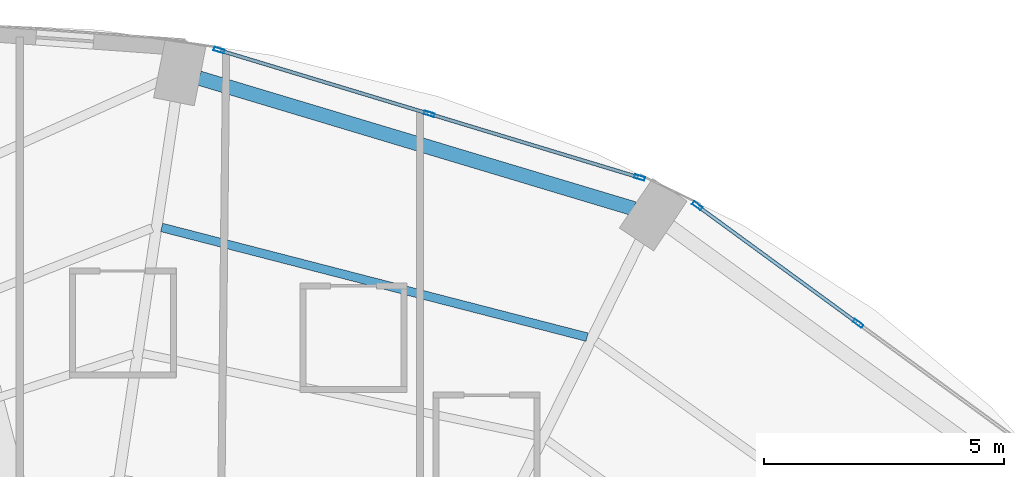
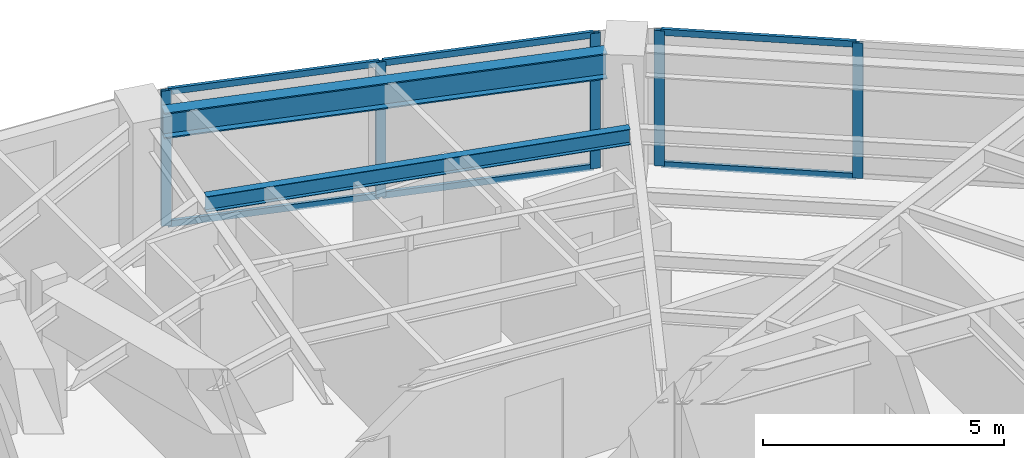
# One storey, part 17 of 25: 11 members, 2 beams, 2 elements without a shape of their own.
"""IFC4 building model written with IfcOpenShell, lengths in metres."""

from ifc_helpers import new_model, si_unit, direction, frame, origin, origin_2d, place, context, subcontext, project, spatial, hollow_rectangle, i_section, extrude, material, layer, layer_set, material_profile, profile_set, type_object, element, aggregate, save


model = new_model("IFC4")

# Units and contexts
model_context = context("Model", 3, precision=1e-05, world=origin(), true_north=direction((0.0, 1.0)))
body_context = subcontext(model_context, "Body", "Model", "MODEL_VIEW")
ifc_project = project(units=[si_unit("LENGTHUNIT", "METRE"), si_unit("AREAUNIT", "SQUARE_METRE"), si_unit("VOLUMEUNIT", "CUBIC_METRE"), si_unit("PLANEANGLEUNIT", "RADIAN"), si_unit("MASSUNIT", "GRAM", prefix="KILO")], contexts=[model_context])

# Site, building, storey
site_placement = place(None, origin())
site = spatial("IfcSite", under=ifc_project, at=site_placement, CompositionType="ELEMENT")
building_placement = place(site_placement, origin())
building = spatial("IfcBuilding", under=site, at=building_placement, Name="Lazwardi Medical Tower", CompositionType="ELEMENT")
storey_placement = place(building_placement, frame((0.0, 0.0, 28.847900390625)))
storey = spatial("IfcBuildingStorey", under=building, at=storey_placement, Name="L06", CompositionType="ELEMENT", Elevation=28.847900390625)

# Beams
ifc_material_1 = material(Name="Steel S355", Category="steel")
ifc_material_profile_1 = material_profile(ifc_material_1, i_section(OverallWidth=0.300048828125, OverallDepth=0.64990234375, WebThickness=0.01611328125, FlangeThickness=0.031005859375, at=origin_2d()), Name="HEB 650")
ifc_profile_set_1 = profile_set([ifc_material_profile_1], Name="Steel S355")
beam_type_1 = type_object("IfcBeamType", Name="BM-RB-Z1", PredefinedType="BEAM", material=ifc_profile_set_1)
beam_1_placement = place(storey_placement, frame((50.77880859375, 47.0048828125, 3.10302734375), z_axis=(-0.957695289269, 0.287784177662, 0.0), x_axis=(-0.287784177662, -0.957695289269, 0.0)))
element("IfcBeam", 1, at=beam_1_placement, inside=storey, type_object=beam_type_1, Name="Ring beam RB-02 B07 L06", PredefinedType="BEAM", context=body_context, shape_type="SweptSolid", body=[
    extrude(i_section(OverallWidth=0.300048828125, OverallDepth=0.64990234375, WebThickness=0.01611328125, FlangeThickness=0.031005859375, at=origin_2d()), origin(), (0.0, 0.0, 1.0), 9.445556640625),
])
ifc_material_profile_2 = material_profile(ifc_material_1, i_section(OverallWidth=0.179931640625, OverallDepth=0.39990234375, WebThickness=0.008544921875, FlangeThickness=0.013427734375, at=origin_2d()), Name="IPE 400")
ifc_profile_set_2 = profile_set([ifc_material_profile_2], Name="Steel S355")
beam_type_2 = type_object("IfcBeamType", Name="BM-SJ-01", PredefinedType="JOIST", material=ifc_profile_set_2)
beam_2_placement = place(storey_placement, frame((49.804931640625, 44.333251953125, 3.22802734375), z_axis=(-0.968316918308, 0.249724539682, 0.0), x_axis=(-0.249724539682, -0.968316918308, 0.0)))
element("IfcBeam", 2, at=beam_2_placement, inside=storey, type_object=beam_type_2, Name="Secondary joist SJ-01 R1 B07 L06", PredefinedType="JOIST", context=body_context, shape_type="SweptSolid", body=[
    extrude(i_section(OverallWidth=0.179931640625, OverallDepth=0.39990234375, WebThickness=0.008544921875, FlangeThickness=0.013427734375, at=origin_2d()), origin(), (0.0, 0.0, 1.0), 9.140869140625),
])

# Curtain wall, members
ifc_material_2 = material(Name="Anodised bronze aluminium and solar control glazing", Category="aluminium")
ifc_layer = layer(ifc_material_2, 0.199951171875)
ifc_layer_set = layer_set([ifc_layer], Name="Anodised bronze aluminium and solar control glazing")
curtain_wall_type = type_object("IfcCurtainWallType", Name="CW-SYS-02", PredefinedType="NOTDEFINED", material=ifc_layer_set)
curtain_wall_1_placement = place(storey_placement, origin())
curtain_wall_1 = element("IfcCurtainWall", 3, at=curtain_wall_1_placement, inside=storey, type_object=curtain_wall_type, Name="L06 Unitised bronze curtain wall CW-02", PredefinedType="NOTDEFINED")
ifc_material_3 = material(Name="Anodised bronze aluminium", Category="aluminium")
ifc_material_profile_3 = material_profile(ifc_material_3, hollow_rectangle(XDim=0.074951171875, YDim=0.219970703125, WallThickness=0.00390625, at=origin_2d()), Name="ALU-MULLION 220x75x4")
ifc_profile_set_3 = profile_set([ifc_material_profile_3], Name="Anodised bronze aluminium")
member_type_1 = type_object("IfcMemberType", Name="CW-MUL-01", PredefinedType="MULLION", material=ifc_profile_set_3)
member_1_placement = place(storey_placement, frame((55.4443359375, 44.619384765625, 0.0), z_axis=(0.0, 0.0, 1.0), x_axis=(-0.590289307341, -0.807191757663, 0.0)))
member_1 = element("IfcMember", 4, at=member_1_placement, type_object=member_type_1, Name="CW-02 mullion 2", PredefinedType="MULLION", context=body_context, shape_type="SweptSolid", body=[
    extrude(hollow_rectangle(XDim=0.074951171875, YDim=0.219970703125, WallThickness=0.00390625, at=origin_2d()), origin(), (0.0, 0.0, 1.0), 3.427978515625),
])
member_2_placement = place(storey_placement, frame((52.0986328125, 47.066162109375, 0.0), z_axis=(0.0, 0.0, 1.0), x_axis=(-0.590289307341, -0.807191757663, 0.0)))
member_2 = element("IfcMember", 5, at=member_2_placement, type_object=member_type_1, Name="CW-02 mullion 3", PredefinedType="MULLION", context=body_context, shape_type="SweptSolid", body=[
    extrude(hollow_rectangle(XDim=0.074951171875, YDim=0.219970703125, WallThickness=0.00390625, at=origin_2d()), origin(), (0.0, 0.0, 1.0), 3.427978515625),
])

curtain_wall_2_placement = place(storey_placement, origin())
curtain_wall_2 = element("IfcCurtainWall", 6, at=curtain_wall_2_placement, inside=storey, type_object=curtain_wall_type, Name="L06 Unitised bronze curtain wall CW-02", PredefinedType="NOTDEFINED")
member_3_placement = place(storey_placement, frame((50.8984375, 47.653076171875, 0.0), z_axis=(0.0, 0.0, 1.0), x_axis=(-0.2898956909, -0.957058247129, 0.0)))
member_3 = element("IfcMember", 7, at=member_3_placement, type_object=member_type_1, Name="CW-02 mullion 1", PredefinedType="MULLION", context=body_context, shape_type="SweptSolid", body=[
    extrude(hollow_rectangle(XDim=0.074951171875, YDim=0.219970703125, WallThickness=0.00390625, at=origin_2d()), origin(), (0.0, 0.0, 1.0), 3.427978515625),
])
member_4_placement = place(storey_placement, frame((46.523193359375, 48.978515625, 0.0), z_axis=(0.0, 0.0, 1.0), x_axis=(-0.2898956909, -0.957058247129, 0.0)))
member_4 = element("IfcMember", 8, at=member_4_placement, type_object=member_type_1, Name="CW-02 mullion 2", PredefinedType="MULLION", context=body_context, shape_type="SweptSolid", body=[
    extrude(hollow_rectangle(XDim=0.074951171875, YDim=0.219970703125, WallThickness=0.00390625, at=origin_2d()), origin(), (0.0, 0.0, 1.0), 3.427978515625),
])
member_5_placement = place(storey_placement, frame((42.14794921875, 50.3037109375, 0.0), z_axis=(0.0, 0.0, 1.0), x_axis=(-0.2898956909, -0.957058247129, 0.0)))
member_5 = element("IfcMember", 9, at=member_5_placement, type_object=member_type_1, Name="CW-02 mullion 3", PredefinedType="MULLION", context=body_context, shape_type="SweptSolid", body=[
    extrude(hollow_rectangle(XDim=0.074951171875, YDim=0.219970703125, WallThickness=0.00390625, at=origin_2d()), origin(), (0.0, 0.0, 1.0), 3.427978515625),
])

# Member
ifc_material_profile_4 = material_profile(ifc_material_3, hollow_rectangle(XDim=0.074951171875, YDim=0.159912109375, WallThickness=0.00390625, at=origin_2d()), Name="ALU-TRANSOM 160x75x4")
ifc_profile_set_4 = profile_set([ifc_material_profile_4], Name="Anodised bronze aluminium")
member_type_2 = type_object("IfcMemberType", Name="CW-TRN-01", PredefinedType="USERDEFINED", material=ifc_profile_set_4)
member_6_placement = place(storey_placement, frame((55.4140625, 44.641357421875, 0.03759765625), z_axis=(-0.807169053975, 0.590320352271, 0.0), x_axis=(-0.590320352271, -0.807169053975, 0.0)))
member_6 = element("IfcMember", 10, at=member_6_placement, type_object=member_type_2, Name="CW-02 transom 2.1", ObjectType="TRANSOM", PredefinedType="USERDEFINED", context=body_context, shape_type="SweptSolid", body=[
    extrude(hollow_rectangle(XDim=0.074951171875, YDim=0.159912109375, WallThickness=0.00390625, at=origin_2d()), origin(), (0.0, 0.0, 1.0), 4.070068359375),
])

member_7_placement = place(storey_placement, frame((55.4140625, 44.641357421875, 3.390625), z_axis=(-0.807169053975, 0.590320352271, 0.0), x_axis=(-0.590320352271, -0.807169053975, 0.0)))
member_7 = element("IfcMember", 11, at=member_7_placement, type_object=member_type_2, Name="CW-02 transom 2.2", ObjectType="TRANSOM", PredefinedType="USERDEFINED", context=body_context, shape_type="SweptSolid", body=[
    extrude(hollow_rectangle(XDim=0.074951171875, YDim=0.159912109375, WallThickness=0.00390625, at=origin_2d()), origin(), (0.0, 0.0, 1.0), 4.070068359375),
])

aggregate(curtain_wall_1, [member_1, member_2, member_6, member_7])

member_8_placement = place(storey_placement, frame((50.862548828125, 47.6640625, 0.03759765625), z_axis=(-0.957062297904, 0.289882317383, 0.0), x_axis=(-0.289882317383, -0.957062297904, 0.0)))
member_8 = element("IfcMember", 12, at=member_8_placement, type_object=member_type_2, Name="CW-02 transom 1.1", ObjectType="TRANSOM", PredefinedType="USERDEFINED", context=body_context, shape_type="SweptSolid", body=[
    extrude(hollow_rectangle(XDim=0.074951171875, YDim=0.159912109375, WallThickness=0.00390625, at=origin_2d()), origin(), (0.0, 0.0, 1.0), 4.49658203125),
])

member_9_placement = place(storey_placement, frame((50.862548828125, 47.6640625, 3.390625), z_axis=(-0.957062297904, 0.289882317383, 0.0), x_axis=(-0.289882317383, -0.957062297904, 0.0)))
member_9 = element("IfcMember", 13, at=member_9_placement, type_object=member_type_2, Name="CW-02 transom 1.2", ObjectType="TRANSOM", PredefinedType="USERDEFINED", context=body_context, shape_type="SweptSolid", body=[
    extrude(hollow_rectangle(XDim=0.074951171875, YDim=0.159912109375, WallThickness=0.00390625, at=origin_2d()), origin(), (0.0, 0.0, 1.0), 4.49658203125),
])

member_10_placement = place(storey_placement, frame((46.4873046875, 48.9892578125, 0.03759765625), z_axis=(-0.957047233423, 0.28993204893, 0.0), x_axis=(-0.28993204893, -0.957047233423, 0.0)))
member_10 = element("IfcMember", 14, at=member_10_placement, type_object=member_type_2, Name="CW-02 transom 2.1", ObjectType="TRANSOM", PredefinedType="USERDEFINED", context=body_context, shape_type="SweptSolid", body=[
    extrude(hollow_rectangle(XDim=0.074951171875, YDim=0.159912109375, WallThickness=0.00390625, at=origin_2d()), origin(), (0.0, 0.0, 1.0), 4.49658203125),
])

member_11_placement = place(storey_placement, frame((46.4873046875, 48.9892578125, 3.390625), z_axis=(-0.957047233423, 0.28993204893, 0.0), x_axis=(-0.28993204893, -0.957047233423, 0.0)))
member_11 = element("IfcMember", 15, at=member_11_placement, type_object=member_type_2, Name="CW-02 transom 2.2", ObjectType="TRANSOM", PredefinedType="USERDEFINED", context=body_context, shape_type="SweptSolid", body=[
    extrude(hollow_rectangle(XDim=0.074951171875, YDim=0.159912109375, WallThickness=0.00390625, at=origin_2d()), origin(), (0.0, 0.0, 1.0), 4.49658203125),
])

aggregate(curtain_wall_2, [member_3, member_4, member_5, member_8, member_9, member_10, member_11])

save(model, "model.ifc")
